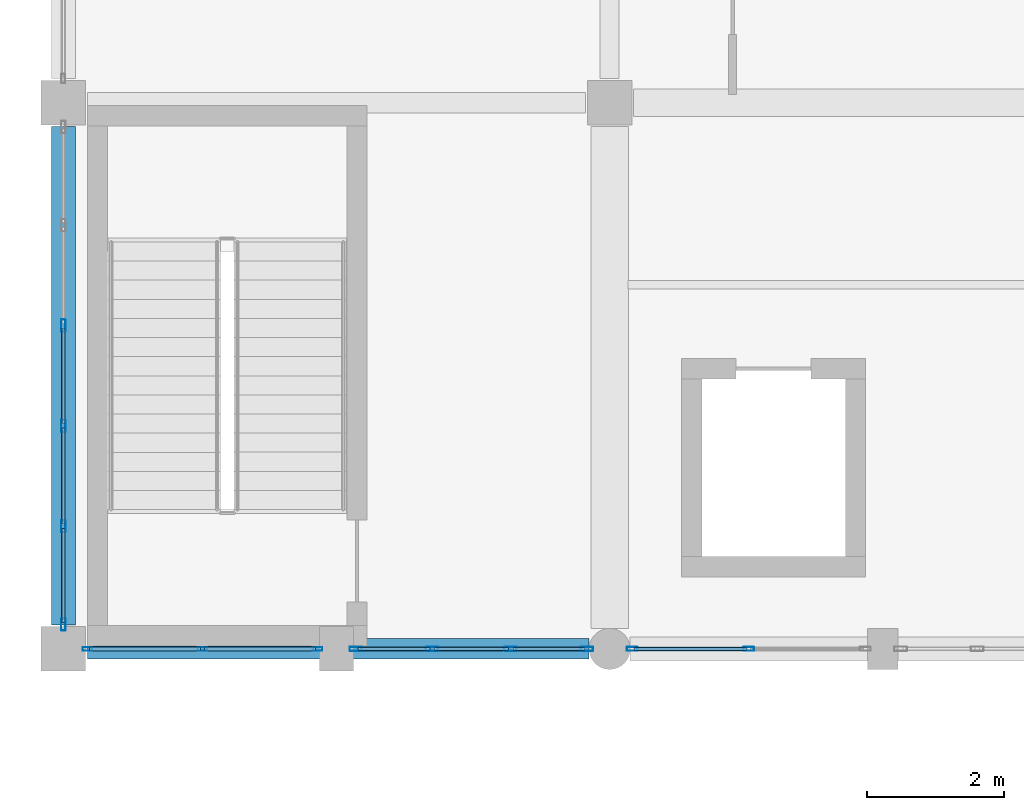
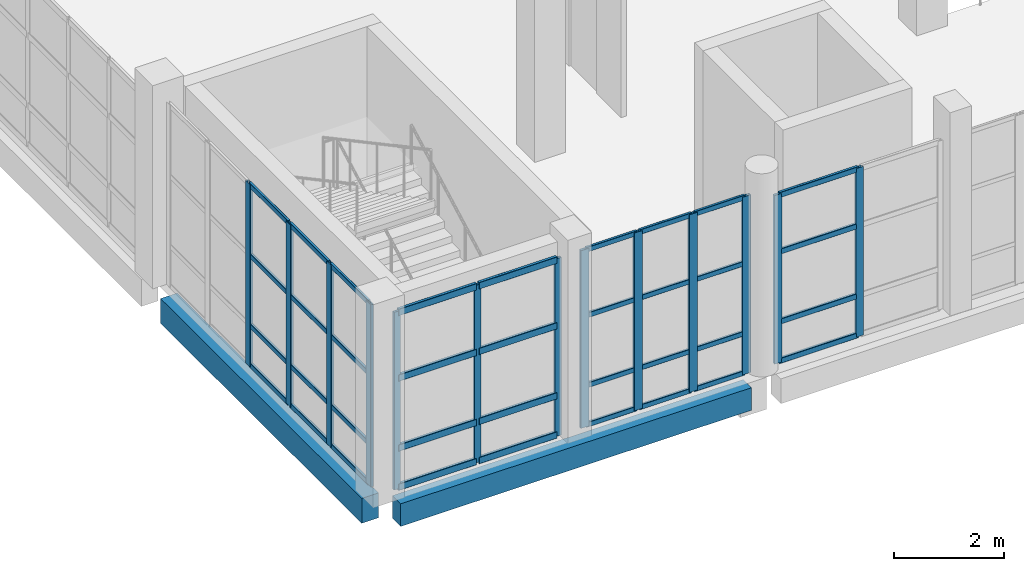
# One storey, part 12 of 183: 49 members, 2 beams, 4 elements without a shape of their own.
"""IFC4 building model written with IfcOpenShell, lengths in metres."""

from ifc_helpers import new_model, si_unit, direction, frame, origin, origin_2d, place, context, subcontext, project, spatial, rectangle, hollow_rectangle, extrude, material, material_profile, profile_set, type_object, element, aggregate, save


model = new_model("IFC4")

# Units and contexts
model_context = context("Model", 3, precision=1e-05, world=origin(), true_north=direction((0.0, 1.0)))
body_context = subcontext(model_context, "Body", "Model", "MODEL_VIEW")
ifc_project = project(units=[si_unit("LENGTHUNIT", "METRE"), si_unit("AREAUNIT", "SQUARE_METRE"), si_unit("VOLUMEUNIT", "CUBIC_METRE"), si_unit("PLANEANGLEUNIT", "RADIAN"), si_unit("MASSUNIT", "GRAM", prefix="KILO")], contexts=[model_context])

# Site, building, storey
site_placement = place(None, origin())
site = spatial("IfcSite", under=ifc_project, at=site_placement, CompositionType="ELEMENT")
building_placement = place(site_placement, origin())
building = spatial("IfcBuilding", under=site, at=building_placement, Name="Luwemba Playhouse", CompositionType="ELEMENT")
storey_placement = place(building_placement, frame((0.0, 0.0, 4.800048828125)))
storey = spatial("IfcBuildingStorey", under=building, at=storey_placement, Name="L01", CompositionType="ELEMENT", Elevation=4.800048828125)

# Beams
ifc_material_1 = material(Name="Concrete C40/50", Category="concrete")
ifc_material_profile_1 = material_profile(ifc_material_1, rectangle(XDim=0.300048828125, YDim=0.5, at=origin_2d()))
ifc_profile_set_1 = profile_set([ifc_material_profile_1], Name="Concrete C40/50")
beam_type_1 = type_object("IfcBeamType", Name="BM-SP1", PredefinedType="SPANDREL", material=ifc_profile_set_1)
beam_1_placement = place(storey_placement, frame((4.35009765625, 3.0, -0.5), z_axis=(1.0, 0.0, 0.0), x_axis=(0.0, 1.0, 0.0)))
element("IfcBeam", 1, at=beam_1_placement, inside=storey, type_object=beam_type_1, Name="L01 grid girder 0468", PredefinedType="SPANDREL", context=body_context, shape_type="SweptSolid", body=[
    extrude(rectangle(XDim=0.300048828125, YDim=0.5, at=origin_2d()), origin(), (0.0, 0.0, 1.0), 7.349853515625),
])
ifc_material_profile_2 = material_profile(ifc_material_1, rectangle(XDim=0.35009765625, YDim=0.550048828125, at=origin_2d()))
ifc_profile_set_2 = profile_set([ifc_material_profile_2], Name="Concrete C40/50")
beam_type_2 = type_object("IfcBeamType", Name="BM-SP2", PredefinedType="SPANDREL", material=ifc_profile_set_2)
beam_2_placement = place(storey_placement, frame((4.0, 3.35009765625, -0.525146484375), z_axis=(0.0, 1.0, 0.0), x_axis=(-1.0, 0.0, 0.0)))
element("IfcBeam", 2, at=beam_2_placement, inside=storey, type_object=beam_type_2, Name="L01 transverse girder 0496", PredefinedType="SPANDREL", context=body_context, shape_type="SweptSolid", body=[
    extrude(rectangle(XDim=0.35009765625, YDim=0.550048828125, at=origin_2d()), origin(), (0.0, 0.0, 1.0), 7.2998046875),
])

# Curtain wall, members
ifc_material_2 = material(Name="Solar-control double glazing", Category="glass")
curtain_wall_type_1 = type_object("IfcCurtainWallType", Name="CW-CW95", PredefinedType="USERDEFINED", material=ifc_material_2)
curtain_wall_1_placement = place(storey_placement, origin())
curtain_wall_1 = element("IfcCurtainWall", 3, at=curtain_wall_1_placement, inside=storey, type_object=curtain_wall_type_1, Name="L01 V5W unitised curtain wall 150", ObjectType="UNITISED GLAZING", PredefinedType="USERDEFINED")
ifc_material_3 = material(Name="Aluminium 6063-T6", Category="aluminium")
ifc_material_profile_3 = material_profile(ifc_material_3, hollow_rectangle(XDim=0.06005859375, YDim=0.159912109375, WallThickness=0.00390625, InnerFilletRadius=0.006103515625, OuterFilletRadius=0.010009765625, at=origin_2d()))
ifc_profile_set_3 = profile_set([ifc_material_profile_3], Name="Aluminium 6063-T6")
member_type_1 = type_object("IfcMemberType", Name="CWM-M1", PredefinedType="MULLION", material=ifc_profile_set_3)
member_1_placement = place(storey_placement, frame((14.03759765625, 3.0, 0.0), z_axis=(0.0, 0.0, 1.0), x_axis=(0.0, -1.0, 0.0)))
member_1 = element("IfcMember", 4, at=member_1_placement, type_object=member_type_1, Name="CW95 mullion 2", PredefinedType="MULLION", context=body_context, shape_type="SweptSolid", body=[
    extrude(hollow_rectangle(XDim=0.06005859375, YDim=0.159912109375, WallThickness=0.00390625, InnerFilletRadius=0.006103515625, OuterFilletRadius=0.010009765625, at=origin_2d()), origin(), (0.0, 0.0, 1.0), 3.73486328125),
])
member_2_placement = place(storey_placement, frame((12.330078125, 3.0, 0.0), z_axis=(0.0, 0.0, 1.0), x_axis=(0.0, -1.0, 0.0)))
member_2 = element("IfcMember", 5, at=member_2_placement, type_object=member_type_1, Name="CW95 mullion 3", PredefinedType="MULLION", context=body_context, shape_type="SweptSolid", body=[
    extrude(hollow_rectangle(XDim=0.06005859375, YDim=0.159912109375, WallThickness=0.00390625, InnerFilletRadius=0.006103515625, OuterFilletRadius=0.010009765625, at=origin_2d()), origin(), (0.0, 0.0, 1.0), 3.73486328125),
])

curtain_wall_type_2 = type_object("IfcCurtainWallType", Name="CW-CW89", PredefinedType="USERDEFINED", material=ifc_material_2)
curtain_wall_2_placement = place(storey_placement, origin())
curtain_wall_2 = element("IfcCurtainWall", 6, at=curtain_wall_2_placement, inside=storey, type_object=curtain_wall_type_2, Name="L01 V5W unitised curtain wall 119", ObjectType="UNITISED GLAZING", PredefinedType="USERDEFINED")
ifc_material_profile_4 = material_profile(ifc_material_3, hollow_rectangle(XDim=0.06494140625, YDim=0.179931640625, WallThickness=0.00439453125, InnerFilletRadius=0.0068359375, OuterFilletRadius=0.01123046875, at=origin_2d()))
ifc_profile_set_4 = profile_set([ifc_material_profile_4], Name="Aluminium 6063-T6")
member_type_2 = type_object("IfcMemberType", Name="CWM-M2", PredefinedType="MULLION", material=ifc_profile_set_4)
member_3_placement = place(storey_placement, frame((4.0, 3.357421875, 0.0), z_axis=(0.0, 0.0, 1.0), x_axis=(-1.0, 0.0, 0.0)))
member_3 = element("IfcMember", 7, at=member_3_placement, type_object=member_type_2, Name="CW89 mullion 1", PredefinedType="MULLION", context=body_context, shape_type="SweptSolid", body=[
    extrude(hollow_rectangle(XDim=0.06494140625, YDim=0.179931640625, WallThickness=0.00439453125, InnerFilletRadius=0.0068359375, OuterFilletRadius=0.01123046875, at=origin_2d()), origin(), (0.0, 0.0, 1.0), 4.034912109375),
])
member_4_placement = place(storey_placement, frame((4.0, 4.794921875, 0.0), z_axis=(0.0, 0.0, 1.0), x_axis=(-1.0, 0.0, 0.0)))
member_4 = element("IfcMember", 8, at=member_4_placement, type_object=member_type_2, Name="CW89 mullion 2", PredefinedType="MULLION", context=body_context, shape_type="SweptSolid", body=[
    extrude(hollow_rectangle(XDim=0.06494140625, YDim=0.179931640625, WallThickness=0.00439453125, InnerFilletRadius=0.0068359375, OuterFilletRadius=0.01123046875, at=origin_2d()), origin(), (0.0, 0.0, 1.0), 4.034912109375),
])
member_5_placement = place(storey_placement, frame((4.0, 6.264892578125, 0.0), z_axis=(0.0, 0.0, 1.0), x_axis=(-1.0, 0.0, 0.0)))
member_5 = element("IfcMember", 9, at=member_5_placement, type_object=member_type_2, Name="CW89 mullion 3", PredefinedType="MULLION", context=body_context, shape_type="SweptSolid", body=[
    extrude(hollow_rectangle(XDim=0.06494140625, YDim=0.179931640625, WallThickness=0.00439453125, InnerFilletRadius=0.0068359375, OuterFilletRadius=0.01123046875, at=origin_2d()), origin(), (0.0, 0.0, 1.0), 4.034912109375),
])
member_6_placement = place(storey_placement, frame((4.0, 7.735107421875, 0.0), z_axis=(0.0, 0.0, 1.0), x_axis=(-1.0, 0.0, 0.0)))
member_6 = element("IfcMember", 10, at=member_6_placement, type_object=member_type_2, Name="CW89 mullion 4", PredefinedType="MULLION", context=body_context, shape_type="SweptSolid", body=[
    extrude(hollow_rectangle(XDim=0.06494140625, YDim=0.179931640625, WallThickness=0.00439453125, InnerFilletRadius=0.0068359375, OuterFilletRadius=0.01123046875, at=origin_2d()), origin(), (0.0, 0.0, 1.0), 4.034912109375),
])

curtain_wall_type_3 = type_object("IfcCurtainWallType", Name="CW-CW33", PredefinedType="USERDEFINED", material=ifc_material_2)
curtain_wall_3_placement = place(storey_placement, origin())
curtain_wall_3 = element("IfcCurtainWall", 11, at=curtain_wall_3_placement, inside=storey, type_object=curtain_wall_type_3, Name="L01 V5W unitised curtain wall 151", ObjectType="UNITISED GLAZING", PredefinedType="USERDEFINED")
member_7_placement = place(storey_placement, frame((11.66748046875, 3.0, 0.0), z_axis=(0.0, 0.0, 1.0), x_axis=(0.0, -1.0, 0.0)))
member_7 = element("IfcMember", 12, at=member_7_placement, type_object=member_type_2, Name="CW33 mullion 1", PredefinedType="MULLION", context=body_context, shape_type="SweptSolid", body=[
    extrude(hollow_rectangle(XDim=0.06494140625, YDim=0.179931640625, WallThickness=0.00439453125, InnerFilletRadius=0.0068359375, OuterFilletRadius=0.01123046875, at=origin_2d()), origin(), (0.0, 0.0, 1.0), 3.93505859375),
])
member_8_placement = place(storey_placement, frame((10.550048828125, 3.0, 0.0), z_axis=(0.0, 0.0, 1.0), x_axis=(0.0, -1.0, 0.0)))
member_8 = element("IfcMember", 13, at=member_8_placement, type_object=member_type_2, Name="CW33 mullion 2", PredefinedType="MULLION", context=body_context, shape_type="SweptSolid", body=[
    extrude(hollow_rectangle(XDim=0.06494140625, YDim=0.179931640625, WallThickness=0.00439453125, InnerFilletRadius=0.0068359375, OuterFilletRadius=0.01123046875, at=origin_2d()), origin(), (0.0, 0.0, 1.0), 3.93505859375),
])
member_9_placement = place(storey_placement, frame((9.39990234375, 3.0, 0.0), z_axis=(0.0, 0.0, 1.0), x_axis=(0.0, -1.0, 0.0)))
member_9 = element("IfcMember", 14, at=member_9_placement, type_object=member_type_2, Name="CW33 mullion 3", PredefinedType="MULLION", context=body_context, shape_type="SweptSolid", body=[
    extrude(hollow_rectangle(XDim=0.06494140625, YDim=0.179931640625, WallThickness=0.00439453125, InnerFilletRadius=0.0068359375, OuterFilletRadius=0.01123046875, at=origin_2d()), origin(), (0.0, 0.0, 1.0), 3.93505859375),
])
member_10_placement = place(storey_placement, frame((8.282470703125, 3.0, 0.0), z_axis=(0.0, 0.0, 1.0), x_axis=(0.0, -1.0, 0.0)))
member_10 = element("IfcMember", 15, at=member_10_placement, type_object=member_type_2, Name="CW33 mullion 4", PredefinedType="MULLION", context=body_context, shape_type="SweptSolid", body=[
    extrude(hollow_rectangle(XDim=0.06494140625, YDim=0.179931640625, WallThickness=0.00439453125, InnerFilletRadius=0.0068359375, OuterFilletRadius=0.01123046875, at=origin_2d()), origin(), (0.0, 0.0, 1.0), 3.93505859375),
])

curtain_wall_type_4 = type_object("IfcCurtainWallType", Name="CW-CW114", PredefinedType="USERDEFINED", material=ifc_material_2)
curtain_wall_4_placement = place(storey_placement, origin())
curtain_wall_4 = element("IfcCurtainWall", 16, at=curtain_wall_4_placement, inside=storey, type_object=curtain_wall_type_4, Name="L01 V5W unitised curtain wall 152", ObjectType="UNITISED GLAZING", PredefinedType="USERDEFINED")
ifc_material_profile_5 = material_profile(ifc_material_3, hollow_rectangle(XDim=0.054931640625, YDim=0.139892578125, WallThickness=0.00390625, InnerFilletRadius=0.006103515625, OuterFilletRadius=0.010009765625, at=origin_2d()))
ifc_profile_set_5 = profile_set([ifc_material_profile_5], Name="Aluminium 6063-T6")
member_type_3 = type_object("IfcMemberType", Name="CWM-M3", PredefinedType="MULLION", material=ifc_profile_set_5)
member_11_placement = place(storey_placement, frame((7.722412109375, 3.0, 0.0), z_axis=(0.0, 0.0, 1.0), x_axis=(0.0, -1.0, 0.0)))
member_11 = element("IfcMember", 17, at=member_11_placement, type_object=member_type_3, Name="CW114 mullion 1", PredefinedType="MULLION", context=body_context, shape_type="SweptSolid", body=[
    extrude(hollow_rectangle(XDim=0.054931640625, YDim=0.139892578125, WallThickness=0.00390625, InnerFilletRadius=0.006103515625, OuterFilletRadius=0.010009765625, at=origin_2d()), origin(), (0.0, 0.0, 1.0), 3.93505859375),
])
member_12_placement = place(storey_placement, frame((6.03759765625, 3.0, 0.0), z_axis=(0.0, 0.0, 1.0), x_axis=(0.0, -1.0, 0.0)))
member_12 = element("IfcMember", 18, at=member_12_placement, type_object=member_type_3, Name="CW114 mullion 2", PredefinedType="MULLION", context=body_context, shape_type="SweptSolid", body=[
    extrude(hollow_rectangle(XDim=0.054931640625, YDim=0.139892578125, WallThickness=0.00390625, InnerFilletRadius=0.006103515625, OuterFilletRadius=0.010009765625, at=origin_2d()), origin(), (0.0, 0.0, 1.0), 3.93505859375),
])
member_13_placement = place(storey_placement, frame((4.3525390625, 3.0, 0.0), z_axis=(0.0, 0.0, 1.0), x_axis=(0.0, -1.0, 0.0)))
member_13 = element("IfcMember", 19, at=member_13_placement, type_object=member_type_3, Name="CW114 mullion 3", PredefinedType="MULLION", context=body_context, shape_type="SweptSolid", body=[
    extrude(hollow_rectangle(XDim=0.054931640625, YDim=0.139892578125, WallThickness=0.00390625, InnerFilletRadius=0.006103515625, OuterFilletRadius=0.010009765625, at=origin_2d()), origin(), (0.0, 0.0, 1.0), 3.93505859375),
])

# Member
ifc_material_profile_6 = material_profile(ifc_material_3, hollow_rectangle(XDim=0.06005859375, YDim=0.1201171875, WallThickness=0.00390625, InnerFilletRadius=0.006103515625, OuterFilletRadius=0.010009765625, at=origin_2d()))
ifc_profile_set_6 = profile_set([ifc_material_profile_6], Name="Aluminium 6063-T6")
member_type_4 = type_object("IfcMemberType", Name="CWT-T1", PredefinedType="USERDEFINED", material=ifc_profile_set_6)
member_14_placement = place(storey_placement, frame((14.007568359375, 3.0, 0.030029296875), z_axis=(-1.0, 0.0, 0.0), x_axis=(0.0, -1.0, 0.0)))
member_14 = element("IfcMember", 20, at=member_14_placement, type_object=member_type_4, Name="CW95 transom 2.1", ObjectType="TRANSOM", PredefinedType="USERDEFINED", context=body_context, shape_type="SweptSolid", body=[
    extrude(hollow_rectangle(XDim=0.06005859375, YDim=0.1201171875, WallThickness=0.00390625, InnerFilletRadius=0.006103515625, OuterFilletRadius=0.010009765625, at=origin_2d()), origin(), (0.0, 0.0, 1.0), 1.6474609375),
])

member_15_placement = place(storey_placement, frame((14.007568359375, 3.0, 0.89990234375), z_axis=(-1.0, 0.0, 0.0), x_axis=(0.0, -1.0, 0.0)))
member_15 = element("IfcMember", 21, at=member_15_placement, type_object=member_type_4, Name="CW95 transom 2.2", ObjectType="TRANSOM", PredefinedType="USERDEFINED", context=body_context, shape_type="SweptSolid", body=[
    extrude(hollow_rectangle(XDim=0.06005859375, YDim=0.1201171875, WallThickness=0.00390625, InnerFilletRadius=0.006103515625, OuterFilletRadius=0.010009765625, at=origin_2d()), origin(), (0.0, 0.0, 1.0), 1.6474609375),
])

member_16_placement = place(storey_placement, frame((14.007568359375, 3.0, 2.449951171875), z_axis=(-1.0, 0.0, 0.0), x_axis=(0.0, -1.0, 0.0)))
member_16 = element("IfcMember", 22, at=member_16_placement, type_object=member_type_4, Name="CW95 transom 2.3", ObjectType="TRANSOM", PredefinedType="USERDEFINED", context=body_context, shape_type="SweptSolid", body=[
    extrude(hollow_rectangle(XDim=0.06005859375, YDim=0.1201171875, WallThickness=0.00390625, InnerFilletRadius=0.006103515625, OuterFilletRadius=0.010009765625, at=origin_2d()), origin(), (0.0, 0.0, 1.0), 1.6474609375),
])

member_17_placement = place(storey_placement, frame((14.007568359375, 3.0, 3.704833984375), z_axis=(-1.0, 0.0, 0.0), x_axis=(0.0, -1.0, 0.0)))
member_17 = element("IfcMember", 23, at=member_17_placement, type_object=member_type_4, Name="CW95 transom 2.4", ObjectType="TRANSOM", PredefinedType="USERDEFINED", context=body_context, shape_type="SweptSolid", body=[
    extrude(hollow_rectangle(XDim=0.06005859375, YDim=0.1201171875, WallThickness=0.00390625, InnerFilletRadius=0.006103515625, OuterFilletRadius=0.010009765625, at=origin_2d()), origin(), (0.0, 0.0, 1.0), 1.6474609375),
])

aggregate(curtain_wall_1, [member_1, member_2, member_14, member_15, member_16, member_17])

ifc_material_profile_7 = material_profile(ifc_material_3, hollow_rectangle(XDim=0.054931640625, YDim=0.110107421875, WallThickness=0.00341796875, InnerFilletRadius=0.00537109375, OuterFilletRadius=0.0087890625, at=origin_2d()))
ifc_profile_set_7 = profile_set([ifc_material_profile_7], Name="Aluminium 6063-T6")
member_type_5 = type_object("IfcMemberType", Name="CWT-T2", PredefinedType="USERDEFINED", material=ifc_profile_set_7)
member_18_placement = place(storey_placement, frame((4.0, 3.389892578125, 0.02734375), z_axis=(0.0, 1.0, 0.0), x_axis=(-1.0, 0.0, 0.0)))
member_18 = element("IfcMember", 24, at=member_18_placement, type_object=member_type_5, Name="CW89 transom 1.1", ObjectType="TRANSOM", PredefinedType="USERDEFINED", context=body_context, shape_type="SweptSolid", body=[
    extrude(hollow_rectangle(XDim=0.054931640625, YDim=0.110107421875, WallThickness=0.00341796875, InnerFilletRadius=0.00537109375, OuterFilletRadius=0.0087890625, at=origin_2d()), origin(), (0.0, 0.0, 1.0), 1.37255859375),
])

member_19_placement = place(storey_placement, frame((4.0, 3.389892578125, 0.89990234375), z_axis=(0.0, 1.0, 0.0), x_axis=(-1.0, 0.0, 0.0)))
member_19 = element("IfcMember", 25, at=member_19_placement, type_object=member_type_5, Name="CW89 transom 1.2", ObjectType="TRANSOM", PredefinedType="USERDEFINED", context=body_context, shape_type="SweptSolid", body=[
    extrude(hollow_rectangle(XDim=0.054931640625, YDim=0.110107421875, WallThickness=0.00341796875, InnerFilletRadius=0.00537109375, OuterFilletRadius=0.0087890625, at=origin_2d()), origin(), (0.0, 0.0, 1.0), 1.37255859375),
])

member_20_placement = place(storey_placement, frame((4.0, 3.389892578125, 2.449951171875), z_axis=(0.0, 1.0, 0.0), x_axis=(-1.0, 0.0, 0.0)))
member_20 = element("IfcMember", 26, at=member_20_placement, type_object=member_type_5, Name="CW89 transom 1.3", ObjectType="TRANSOM", PredefinedType="USERDEFINED", context=body_context, shape_type="SweptSolid", body=[
    extrude(hollow_rectangle(XDim=0.054931640625, YDim=0.110107421875, WallThickness=0.00341796875, InnerFilletRadius=0.00537109375, OuterFilletRadius=0.0087890625, at=origin_2d()), origin(), (0.0, 0.0, 1.0), 1.37255859375),
])

member_21_placement = place(storey_placement, frame((4.0, 3.389892578125, 4.007568359375), z_axis=(0.0, 1.0, 0.0), x_axis=(-1.0, 0.0, 0.0)))
member_21 = element("IfcMember", 27, at=member_21_placement, type_object=member_type_5, Name="CW89 transom 1.4", ObjectType="TRANSOM", PredefinedType="USERDEFINED", context=body_context, shape_type="SweptSolid", body=[
    extrude(hollow_rectangle(XDim=0.054931640625, YDim=0.110107421875, WallThickness=0.00341796875, InnerFilletRadius=0.00537109375, OuterFilletRadius=0.0087890625, at=origin_2d()), origin(), (0.0, 0.0, 1.0), 1.37255859375),
])

member_22_placement = place(storey_placement, frame((4.0, 4.827392578125, 0.02734375), z_axis=(0.0, 1.0, 0.0), x_axis=(-1.0, 0.0, 0.0)))
member_22 = element("IfcMember", 28, at=member_22_placement, type_object=member_type_5, Name="CW89 transom 2.1", ObjectType="TRANSOM", PredefinedType="USERDEFINED", context=body_context, shape_type="SweptSolid", body=[
    extrude(hollow_rectangle(XDim=0.054931640625, YDim=0.110107421875, WallThickness=0.00341796875, InnerFilletRadius=0.00537109375, OuterFilletRadius=0.0087890625, at=origin_2d()), origin(), (0.0, 0.0, 1.0), 1.405029296875),
])

member_23_placement = place(storey_placement, frame((4.0, 4.827392578125, 0.89990234375), z_axis=(0.0, 1.0, 0.0), x_axis=(-1.0, 0.0, 0.0)))
member_23 = element("IfcMember", 29, at=member_23_placement, type_object=member_type_5, Name="CW89 transom 2.2", ObjectType="TRANSOM", PredefinedType="USERDEFINED", context=body_context, shape_type="SweptSolid", body=[
    extrude(hollow_rectangle(XDim=0.054931640625, YDim=0.110107421875, WallThickness=0.00341796875, InnerFilletRadius=0.00537109375, OuterFilletRadius=0.0087890625, at=origin_2d()), origin(), (0.0, 0.0, 1.0), 1.405029296875),
])

member_24_placement = place(storey_placement, frame((4.0, 4.827392578125, 2.449951171875), z_axis=(0.0, 1.0, 0.0), x_axis=(-1.0, 0.0, 0.0)))
member_24 = element("IfcMember", 30, at=member_24_placement, type_object=member_type_5, Name="CW89 transom 2.3", ObjectType="TRANSOM", PredefinedType="USERDEFINED", context=body_context, shape_type="SweptSolid", body=[
    extrude(hollow_rectangle(XDim=0.054931640625, YDim=0.110107421875, WallThickness=0.00341796875, InnerFilletRadius=0.00537109375, OuterFilletRadius=0.0087890625, at=origin_2d()), origin(), (0.0, 0.0, 1.0), 1.405029296875),
])

member_25_placement = place(storey_placement, frame((4.0, 4.827392578125, 4.007568359375), z_axis=(0.0, 1.0, 0.0), x_axis=(-1.0, 0.0, 0.0)))
member_25 = element("IfcMember", 31, at=member_25_placement, type_object=member_type_5, Name="CW89 transom 2.4", ObjectType="TRANSOM", PredefinedType="USERDEFINED", context=body_context, shape_type="SweptSolid", body=[
    extrude(hollow_rectangle(XDim=0.054931640625, YDim=0.110107421875, WallThickness=0.00341796875, InnerFilletRadius=0.00537109375, OuterFilletRadius=0.0087890625, at=origin_2d()), origin(), (0.0, 0.0, 1.0), 1.405029296875),
])

member_26_placement = place(storey_placement, frame((4.0, 6.297607421875, 0.02734375), z_axis=(0.0, 1.0, 0.0), x_axis=(-1.0, 0.0, 0.0)))
member_26 = element("IfcMember", 32, at=member_26_placement, type_object=member_type_5, Name="CW89 transom 3.1", ObjectType="TRANSOM", PredefinedType="USERDEFINED", context=body_context, shape_type="SweptSolid", body=[
    extrude(hollow_rectangle(XDim=0.054931640625, YDim=0.110107421875, WallThickness=0.00341796875, InnerFilletRadius=0.00537109375, OuterFilletRadius=0.0087890625, at=origin_2d()), origin(), (0.0, 0.0, 1.0), 1.40478515625),
])

member_27_placement = place(storey_placement, frame((4.0, 6.297607421875, 0.89990234375), z_axis=(0.0, 1.0, 0.0), x_axis=(-1.0, 0.0, 0.0)))
member_27 = element("IfcMember", 33, at=member_27_placement, type_object=member_type_5, Name="CW89 transom 3.2", ObjectType="TRANSOM", PredefinedType="USERDEFINED", context=body_context, shape_type="SweptSolid", body=[
    extrude(hollow_rectangle(XDim=0.054931640625, YDim=0.110107421875, WallThickness=0.00341796875, InnerFilletRadius=0.00537109375, OuterFilletRadius=0.0087890625, at=origin_2d()), origin(), (0.0, 0.0, 1.0), 1.40478515625),
])

member_28_placement = place(storey_placement, frame((4.0, 6.297607421875, 2.449951171875), z_axis=(0.0, 1.0, 0.0), x_axis=(-1.0, 0.0, 0.0)))
member_28 = element("IfcMember", 34, at=member_28_placement, type_object=member_type_5, Name="CW89 transom 3.3", ObjectType="TRANSOM", PredefinedType="USERDEFINED", context=body_context, shape_type="SweptSolid", body=[
    extrude(hollow_rectangle(XDim=0.054931640625, YDim=0.110107421875, WallThickness=0.00341796875, InnerFilletRadius=0.00537109375, OuterFilletRadius=0.0087890625, at=origin_2d()), origin(), (0.0, 0.0, 1.0), 1.40478515625),
])

member_29_placement = place(storey_placement, frame((4.0, 6.297607421875, 4.007568359375), z_axis=(0.0, 1.0, 0.0), x_axis=(-1.0, 0.0, 0.0)))
member_29 = element("IfcMember", 35, at=member_29_placement, type_object=member_type_5, Name="CW89 transom 3.4", ObjectType="TRANSOM", PredefinedType="USERDEFINED", context=body_context, shape_type="SweptSolid", body=[
    extrude(hollow_rectangle(XDim=0.054931640625, YDim=0.110107421875, WallThickness=0.00341796875, InnerFilletRadius=0.00537109375, OuterFilletRadius=0.0087890625, at=origin_2d()), origin(), (0.0, 0.0, 1.0), 1.40478515625),
])

aggregate(curtain_wall_2, [member_3, member_4, member_5, member_6, member_18, member_19, member_20, member_21, member_22, member_23, member_24, member_25, member_26, member_27, member_28, member_29])

member_30_placement = place(storey_placement, frame((11.635009765625, 3.0, 0.02734375), z_axis=(-1.0, 0.0, 0.0), x_axis=(0.0, -1.0, 0.0)))
member_30 = element("IfcMember", 36, at=member_30_placement, type_object=member_type_5, Name="CW33 transom 1.1", ObjectType="TRANSOM", PredefinedType="USERDEFINED", context=body_context, shape_type="SweptSolid", body=[
    extrude(hollow_rectangle(XDim=0.054931640625, YDim=0.110107421875, WallThickness=0.00341796875, InnerFilletRadius=0.00537109375, OuterFilletRadius=0.0087890625, at=origin_2d()), origin(), (0.0, 0.0, 1.0), 1.052490234375),
])

member_31_placement = place(storey_placement, frame((11.635009765625, 3.0, 0.89990234375), z_axis=(-1.0, 0.0, 0.0), x_axis=(0.0, -1.0, 0.0)))
member_31 = element("IfcMember", 37, at=member_31_placement, type_object=member_type_5, Name="CW33 transom 1.2", ObjectType="TRANSOM", PredefinedType="USERDEFINED", context=body_context, shape_type="SweptSolid", body=[
    extrude(hollow_rectangle(XDim=0.054931640625, YDim=0.110107421875, WallThickness=0.00341796875, InnerFilletRadius=0.00537109375, OuterFilletRadius=0.0087890625, at=origin_2d()), origin(), (0.0, 0.0, 1.0), 1.052490234375),
])

member_32_placement = place(storey_placement, frame((11.635009765625, 3.0, 2.449951171875), z_axis=(-1.0, 0.0, 0.0), x_axis=(0.0, -1.0, 0.0)))
member_32 = element("IfcMember", 38, at=member_32_placement, type_object=member_type_5, Name="CW33 transom 1.3", ObjectType="TRANSOM", PredefinedType="USERDEFINED", context=body_context, shape_type="SweptSolid", body=[
    extrude(hollow_rectangle(XDim=0.054931640625, YDim=0.110107421875, WallThickness=0.00341796875, InnerFilletRadius=0.00537109375, OuterFilletRadius=0.0087890625, at=origin_2d()), origin(), (0.0, 0.0, 1.0), 1.052490234375),
])

member_33_placement = place(storey_placement, frame((11.635009765625, 3.0, 3.907470703125), z_axis=(-1.0, 0.0, 0.0), x_axis=(0.0, -1.0, 0.0)))
member_33 = element("IfcMember", 39, at=member_33_placement, type_object=member_type_5, Name="CW33 transom 1.4", ObjectType="TRANSOM", PredefinedType="USERDEFINED", context=body_context, shape_type="SweptSolid", body=[
    extrude(hollow_rectangle(XDim=0.054931640625, YDim=0.110107421875, WallThickness=0.00341796875, InnerFilletRadius=0.00537109375, OuterFilletRadius=0.0087890625, at=origin_2d()), origin(), (0.0, 0.0, 1.0), 1.052490234375),
])

member_34_placement = place(storey_placement, frame((10.517578125, 3.0, 0.02734375), z_axis=(-1.0, 0.0, 0.0), x_axis=(0.0, -1.0, 0.0)))
member_34 = element("IfcMember", 40, at=member_34_placement, type_object=member_type_5, Name="CW33 transom 2.1", ObjectType="TRANSOM", PredefinedType="USERDEFINED", context=body_context, shape_type="SweptSolid", body=[
    extrude(hollow_rectangle(XDim=0.054931640625, YDim=0.110107421875, WallThickness=0.00341796875, InnerFilletRadius=0.00537109375, OuterFilletRadius=0.0087890625, at=origin_2d()), origin(), (0.0, 0.0, 1.0), 1.0849609375),
])

member_35_placement = place(storey_placement, frame((10.517578125, 3.0, 0.89990234375), z_axis=(-1.0, 0.0, 0.0), x_axis=(0.0, -1.0, 0.0)))
member_35 = element("IfcMember", 41, at=member_35_placement, type_object=member_type_5, Name="CW33 transom 2.2", ObjectType="TRANSOM", PredefinedType="USERDEFINED", context=body_context, shape_type="SweptSolid", body=[
    extrude(hollow_rectangle(XDim=0.054931640625, YDim=0.110107421875, WallThickness=0.00341796875, InnerFilletRadius=0.00537109375, OuterFilletRadius=0.0087890625, at=origin_2d()), origin(), (0.0, 0.0, 1.0), 1.0849609375),
])

member_36_placement = place(storey_placement, frame((10.517578125, 3.0, 2.449951171875), z_axis=(-1.0, 0.0, 0.0), x_axis=(0.0, -1.0, 0.0)))
member_36 = element("IfcMember", 42, at=member_36_placement, type_object=member_type_5, Name="CW33 transom 2.3", ObjectType="TRANSOM", PredefinedType="USERDEFINED", context=body_context, shape_type="SweptSolid", body=[
    extrude(hollow_rectangle(XDim=0.054931640625, YDim=0.110107421875, WallThickness=0.00341796875, InnerFilletRadius=0.00537109375, OuterFilletRadius=0.0087890625, at=origin_2d()), origin(), (0.0, 0.0, 1.0), 1.0849609375),
])

member_37_placement = place(storey_placement, frame((10.517578125, 3.0, 3.907470703125), z_axis=(-1.0, 0.0, 0.0), x_axis=(0.0, -1.0, 0.0)))
member_37 = element("IfcMember", 43, at=member_37_placement, type_object=member_type_5, Name="CW33 transom 2.4", ObjectType="TRANSOM", PredefinedType="USERDEFINED", context=body_context, shape_type="SweptSolid", body=[
    extrude(hollow_rectangle(XDim=0.054931640625, YDim=0.110107421875, WallThickness=0.00341796875, InnerFilletRadius=0.00537109375, OuterFilletRadius=0.0087890625, at=origin_2d()), origin(), (0.0, 0.0, 1.0), 1.0849609375),
])

member_38_placement = place(storey_placement, frame((9.367431640625, 3.0, 0.02734375), z_axis=(-1.0, 0.0, 0.0), x_axis=(0.0, -1.0, 0.0)))
member_38 = element("IfcMember", 44, at=member_38_placement, type_object=member_type_5, Name="CW33 transom 3.1", ObjectType="TRANSOM", PredefinedType="USERDEFINED", context=body_context, shape_type="SweptSolid", body=[
    extrude(hollow_rectangle(XDim=0.054931640625, YDim=0.110107421875, WallThickness=0.00341796875, InnerFilletRadius=0.00537109375, OuterFilletRadius=0.0087890625, at=origin_2d()), origin(), (0.0, 0.0, 1.0), 1.052490234375),
])

member_39_placement = place(storey_placement, frame((9.367431640625, 3.0, 0.89990234375), z_axis=(-1.0, 0.0, 0.0), x_axis=(0.0, -1.0, 0.0)))
member_39 = element("IfcMember", 45, at=member_39_placement, type_object=member_type_5, Name="CW33 transom 3.2", ObjectType="TRANSOM", PredefinedType="USERDEFINED", context=body_context, shape_type="SweptSolid", body=[
    extrude(hollow_rectangle(XDim=0.054931640625, YDim=0.110107421875, WallThickness=0.00341796875, InnerFilletRadius=0.00537109375, OuterFilletRadius=0.0087890625, at=origin_2d()), origin(), (0.0, 0.0, 1.0), 1.052490234375),
])

member_40_placement = place(storey_placement, frame((9.367431640625, 3.0, 2.449951171875), z_axis=(-1.0, 0.0, 0.0), x_axis=(0.0, -1.0, 0.0)))
member_40 = element("IfcMember", 46, at=member_40_placement, type_object=member_type_5, Name="CW33 transom 3.3", ObjectType="TRANSOM", PredefinedType="USERDEFINED", context=body_context, shape_type="SweptSolid", body=[
    extrude(hollow_rectangle(XDim=0.054931640625, YDim=0.110107421875, WallThickness=0.00341796875, InnerFilletRadius=0.00537109375, OuterFilletRadius=0.0087890625, at=origin_2d()), origin(), (0.0, 0.0, 1.0), 1.052490234375),
])

member_41_placement = place(storey_placement, frame((9.367431640625, 3.0, 3.907470703125), z_axis=(-1.0, 0.0, 0.0), x_axis=(0.0, -1.0, 0.0)))
member_41 = element("IfcMember", 47, at=member_41_placement, type_object=member_type_5, Name="CW33 transom 3.4", ObjectType="TRANSOM", PredefinedType="USERDEFINED", context=body_context, shape_type="SweptSolid", body=[
    extrude(hollow_rectangle(XDim=0.054931640625, YDim=0.110107421875, WallThickness=0.00341796875, InnerFilletRadius=0.00537109375, OuterFilletRadius=0.0087890625, at=origin_2d()), origin(), (0.0, 0.0, 1.0), 1.052490234375),
])

aggregate(curtain_wall_3, [member_7, member_8, member_9, member_10, member_30, member_31, member_32, member_33, member_34, member_35, member_36, member_37, member_38, member_39, member_40, member_41])

ifc_material_profile_8 = material_profile(ifc_material_3, hollow_rectangle(XDim=0.06494140625, YDim=0.14990234375, WallThickness=0.00390625, InnerFilletRadius=0.006103515625, OuterFilletRadius=0.010009765625, at=origin_2d()))
ifc_profile_set_8 = profile_set([ifc_material_profile_8], Name="Aluminium 6063-T6")
member_type_6 = type_object("IfcMemberType", Name="CWT-T3", PredefinedType="USERDEFINED", material=ifc_profile_set_8)
member_42_placement = place(storey_placement, frame((7.695068359375, 3.0, 0.032470703125), z_axis=(-1.0, 0.0, 0.0), x_axis=(0.0, -1.0, 0.0)))
member_42 = element("IfcMember", 48, at=member_42_placement, type_object=member_type_6, Name="CW114 transom 1.1", ObjectType="TRANSOM", PredefinedType="USERDEFINED", context=body_context, shape_type="SweptSolid", body=[
    extrude(hollow_rectangle(XDim=0.06494140625, YDim=0.14990234375, WallThickness=0.00390625, InnerFilletRadius=0.006103515625, OuterFilletRadius=0.010009765625, at=origin_2d()), origin(), (0.0, 0.0, 1.0), 1.630126953125),
])

member_43_placement = place(storey_placement, frame((7.695068359375, 3.0, 0.89990234375), z_axis=(-1.0, 0.0, 0.0), x_axis=(0.0, -1.0, 0.0)))
member_43 = element("IfcMember", 49, at=member_43_placement, type_object=member_type_6, Name="CW114 transom 1.2", ObjectType="TRANSOM", PredefinedType="USERDEFINED", context=body_context, shape_type="SweptSolid", body=[
    extrude(hollow_rectangle(XDim=0.06494140625, YDim=0.14990234375, WallThickness=0.00390625, InnerFilletRadius=0.006103515625, OuterFilletRadius=0.010009765625, at=origin_2d()), origin(), (0.0, 0.0, 1.0), 1.630126953125),
])

member_44_placement = place(storey_placement, frame((7.695068359375, 3.0, 2.449951171875), z_axis=(-1.0, 0.0, 0.0), x_axis=(0.0, -1.0, 0.0)))
member_44 = element("IfcMember", 50, at=member_44_placement, type_object=member_type_6, Name="CW114 transom 1.3", ObjectType="TRANSOM", PredefinedType="USERDEFINED", context=body_context, shape_type="SweptSolid", body=[
    extrude(hollow_rectangle(XDim=0.06494140625, YDim=0.14990234375, WallThickness=0.00390625, InnerFilletRadius=0.006103515625, OuterFilletRadius=0.010009765625, at=origin_2d()), origin(), (0.0, 0.0, 1.0), 1.630126953125),
])

member_45_placement = place(storey_placement, frame((7.695068359375, 3.0, 3.90234375), z_axis=(-1.0, 0.0, 0.0), x_axis=(0.0, -1.0, 0.0)))
member_45 = element("IfcMember", 51, at=member_45_placement, type_object=member_type_6, Name="CW114 transom 1.4", ObjectType="TRANSOM", PredefinedType="USERDEFINED", context=body_context, shape_type="SweptSolid", body=[
    extrude(hollow_rectangle(XDim=0.06494140625, YDim=0.14990234375, WallThickness=0.00390625, InnerFilletRadius=0.006103515625, OuterFilletRadius=0.010009765625, at=origin_2d()), origin(), (0.0, 0.0, 1.0), 1.630126953125),
])

member_46_placement = place(storey_placement, frame((6.010009765625, 3.0, 0.032470703125), z_axis=(-1.0, 0.0, 0.0), x_axis=(0.0, -1.0, 0.0)))
member_46 = element("IfcMember", 52, at=member_46_placement, type_object=member_type_6, Name="CW114 transom 2.1", ObjectType="TRANSOM", PredefinedType="USERDEFINED", context=body_context, shape_type="SweptSolid", body=[
    extrude(hollow_rectangle(XDim=0.06494140625, YDim=0.14990234375, WallThickness=0.00390625, InnerFilletRadius=0.006103515625, OuterFilletRadius=0.010009765625, at=origin_2d()), origin(), (0.0, 0.0, 1.0), 1.630126953125),
])

member_47_placement = place(storey_placement, frame((6.010009765625, 3.0, 0.89990234375), z_axis=(-1.0, 0.0, 0.0), x_axis=(0.0, -1.0, 0.0)))
member_47 = element("IfcMember", 53, at=member_47_placement, type_object=member_type_6, Name="CW114 transom 2.2", ObjectType="TRANSOM", PredefinedType="USERDEFINED", context=body_context, shape_type="SweptSolid", body=[
    extrude(hollow_rectangle(XDim=0.06494140625, YDim=0.14990234375, WallThickness=0.00390625, InnerFilletRadius=0.006103515625, OuterFilletRadius=0.010009765625, at=origin_2d()), origin(), (0.0, 0.0, 1.0), 1.630126953125),
])

member_48_placement = place(storey_placement, frame((6.010009765625, 3.0, 2.449951171875), z_axis=(-1.0, 0.0, 0.0), x_axis=(0.0, -1.0, 0.0)))
member_48 = element("IfcMember", 54, at=member_48_placement, type_object=member_type_6, Name="CW114 transom 2.3", ObjectType="TRANSOM", PredefinedType="USERDEFINED", context=body_context, shape_type="SweptSolid", body=[
    extrude(hollow_rectangle(XDim=0.06494140625, YDim=0.14990234375, WallThickness=0.00390625, InnerFilletRadius=0.006103515625, OuterFilletRadius=0.010009765625, at=origin_2d()), origin(), (0.0, 0.0, 1.0), 1.630126953125),
])

member_49_placement = place(storey_placement, frame((6.010009765625, 3.0, 3.90234375), z_axis=(-1.0, 0.0, 0.0), x_axis=(0.0, -1.0, 0.0)))
member_49 = element("IfcMember", 55, at=member_49_placement, type_object=member_type_6, Name="CW114 transom 2.4", ObjectType="TRANSOM", PredefinedType="USERDEFINED", context=body_context, shape_type="SweptSolid", body=[
    extrude(hollow_rectangle(XDim=0.06494140625, YDim=0.14990234375, WallThickness=0.00390625, InnerFilletRadius=0.006103515625, OuterFilletRadius=0.010009765625, at=origin_2d()), origin(), (0.0, 0.0, 1.0), 1.630126953125),
])

aggregate(curtain_wall_4, [member_11, member_12, member_13, member_42, member_43, member_44, member_45, member_46, member_47, member_48, member_49])

save(model, "model.ifc")
